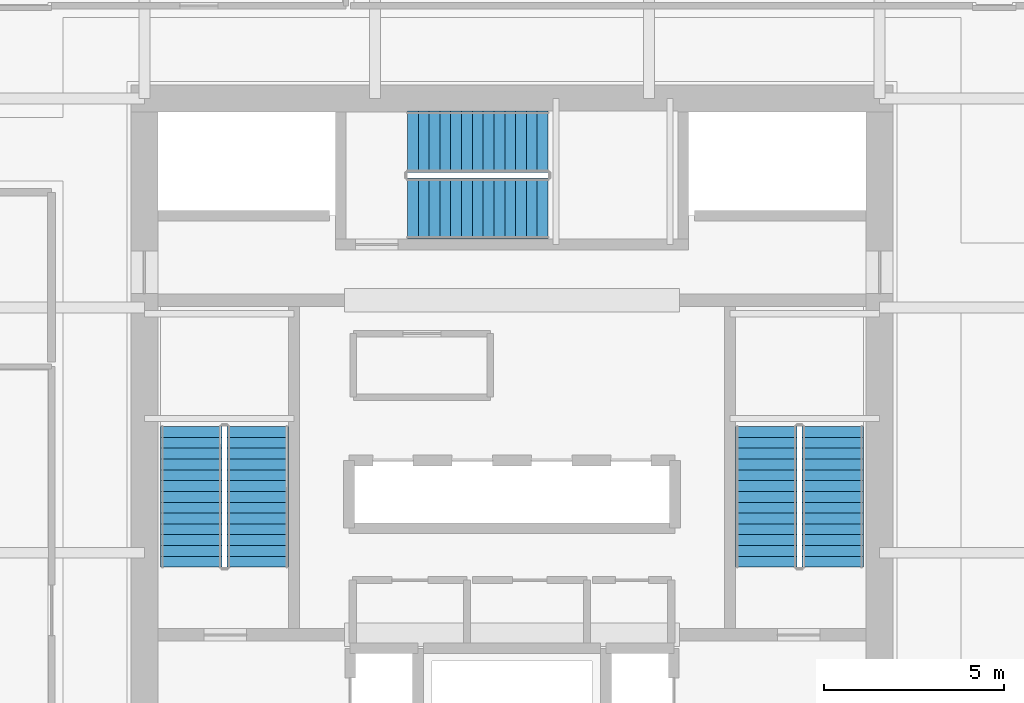
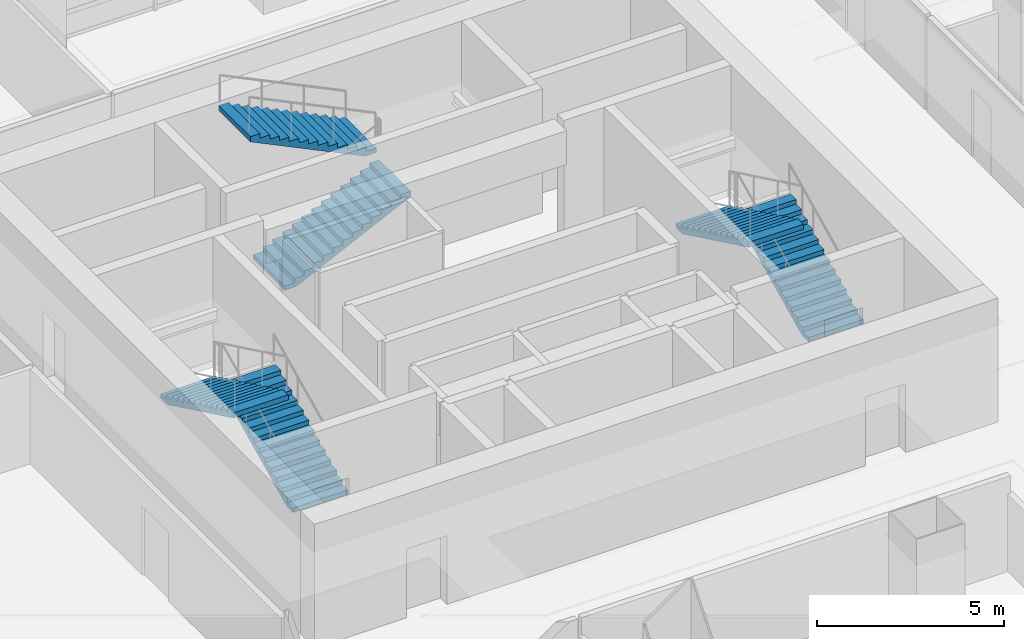
# One storey, part 29 of 34: 6 stair flights, 3 elements without a shape of their own.
"""IFC4 building model written with IfcOpenShell, lengths in metres."""

from ifc_helpers import new_model, si_unit, direction, frame, origin, place, context, subcontext, project, spatial, polyline, outline, extrude, material, type_object, element, aggregate, save


model = new_model("IFC4")

# Units and contexts
model_context = context("Model", 3, precision=1e-05, world=origin(), true_north=direction((0.0, 1.0)))
body_context = subcontext(model_context, "Body", "Model", "MODEL_VIEW")
ifc_project = project(units=[si_unit("LENGTHUNIT", "METRE"), si_unit("AREAUNIT", "SQUARE_METRE"), si_unit("VOLUMEUNIT", "CUBIC_METRE"), si_unit("PLANEANGLEUNIT", "RADIAN"), si_unit("MASSUNIT", "GRAM", prefix="KILO")], contexts=[model_context])

# Site, building, storey
site_placement = place(None, origin())
site = spatial("IfcSite", under=ifc_project, at=site_placement, CompositionType="ELEMENT")
building_placement = place(site_placement, origin())
building = spatial("IfcBuilding", under=site, at=building_placement, Name="Punatoya Terracotta Tower", CompositionType="ELEMENT")
storey_placement = place(building_placement, frame((0.0, 0.0, 84.89990234375)))
storey = spatial("IfcBuildingStorey", under=building, at=storey_placement, Name="L19", CompositionType="ELEMENT", Elevation=84.89990234375)

# Stair, stair flights
ifc_material = material(Name="Concrete C40/50", Category="concrete")
stair_type_1 = type_object("IfcStairType", Name="STR-CORE-1550", PredefinedType="HALF_TURN_STAIR", material=ifc_material)
stair_1_placement = place(storey_placement, origin())
stair_1 = element("IfcStair", 1, at=stair_1_placement, inside=storey, type_object=stair_type_1, Name="L19 Protected Core Exit Stair ST-1", PredefinedType="HALF_TURN_STAIR")
stair_flight_type_1 = type_object("IfcStairFlightType", Name="SFL-CORE-1550", PredefinedType="STRAIGHT", material=ifc_material)
stair_flight_1_placement = place(storey_placement, frame((-7.050048828125, -3.800048828125, 0.0), z_axis=(0.0, 0.0, 1.0), x_axis=(0.0, 1.0, 0.0)))
stair_flight_1 = element("IfcStairFlight", 2, at=stair_flight_1_placement, type_object=stair_flight_type_1, Name="ST-1 flight 1", NumberOfRisers=14, NumberOfTreads=13, PredefinedType="STRAIGHT", RiserHeight=0.144642857, TreadLength=0.3, context=body_context, shape_type="SweptSolid", body=[
    extrude(outline(polyline([(0.0, 0.0), (0.0, 0.14453125), (0.300048828125, 0.14453125), (0.300048828125, 0.289306640625), (0.60009765625, 0.289306640625), (0.60009765625, 0.433837890625), (0.89990234375, 0.433837890625), (0.89990234375, 0.57861328125), (1.199951171875, 0.57861328125), (1.199951171875, 0.72314453125), (1.5, 0.72314453125), (1.5, 0.867919921875), (1.800048828125, 0.867919921875), (1.800048828125, 1.012451171875), (2.10009765625, 1.012451171875), (2.10009765625, 1.1572265625), (2.39990234375, 1.1572265625), (2.39990234375, 1.3017578125), (2.699951171875, 1.3017578125), (2.699951171875, 1.446533203125), (3.0, 1.446533203125), (3.0, 1.591064453125), (3.300048828125, 1.591064453125), (3.300048828125, 1.735595703125), (3.60009765625, 1.735595703125), (3.60009765625, 1.88037109375), (3.89990234375, 1.88037109375), (3.89990234375, 2.02490234375), (3.89990234375, 1.7138671875), (0.34521484375, 0.0), (0.0, 0.0)])), frame((0.0, 0.85009765625, 0.0), z_axis=(0.0, -1.0, 0.0), x_axis=(1.0, 0.0, 0.0)), (0.0, 0.0, 1.0), 1.699951171875),
])
stair_flight_2_placement = place(storey_placement, frame((-8.89990234375, 0.10009765625, 2.025146484375), z_axis=(0.0, 0.0, 1.0), x_axis=(0.0, -1.0, 0.0)))
stair_flight_2 = element("IfcStairFlight", 3, at=stair_flight_2_placement, type_object=stair_flight_type_1, Name="ST-1 flight 2", NumberOfRisers=14, NumberOfTreads=13, PredefinedType="STRAIGHT", RiserHeight=0.144642857, TreadLength=0.3, context=body_context, shape_type="SweptSolid", body=[
    extrude(outline(polyline([(0.0, 0.0), (0.0, 0.14453125), (0.300048828125, 0.14453125), (0.300048828125, 0.289306640625), (0.60009765625, 0.289306640625), (0.60009765625, 0.433837890625), (0.89990234375, 0.433837890625), (0.89990234375, 0.57861328125), (1.199951171875, 0.57861328125), (1.199951171875, 0.72314453125), (1.5, 0.72314453125), (1.5, 0.867919921875), (1.800048828125, 0.867919921875), (1.800048828125, 1.012451171875), (2.10009765625, 1.012451171875), (2.10009765625, 1.1572265625), (2.39990234375, 1.1572265625), (2.39990234375, 1.3017578125), (2.699951171875, 1.3017578125), (2.699951171875, 1.446533203125), (3.0, 1.446533203125), (3.0, 1.591064453125), (3.300048828125, 1.591064453125), (3.300048828125, 1.735595703125), (3.60009765625, 1.735595703125), (3.60009765625, 1.88037109375), (3.89990234375, 1.88037109375), (3.89990234375, 2.02490234375), (3.89990234375, 1.7138671875), (0.34521484375, 0.0), (0.0, 0.0)])), frame((0.0, 0.85009765625, 0.0), z_axis=(0.0, -1.0, 0.0), x_axis=(1.0, 0.0, 0.0)), (0.0, 0.0, 1.0), 1.699951171875),
])
aggregate(stair_1, [stair_flight_1, stair_flight_2])

stair_type_2 = type_object("IfcStairType", Name="STR-LOB-1650", PredefinedType="HALF_TURN_STAIR", material=ifc_material)
stair_2_placement = place(storey_placement, origin())
stair_2 = element("IfcStair", 4, at=stair_2_placement, inside=storey, type_object=stair_type_2, Name="L19 Protected Core Exit Stair ST-2", PredefinedType="HALF_TURN_STAIR")
stair_flight_type_2 = type_object("IfcStairFlightType", Name="SFL-LOB-1650", PredefinedType="STRAIGHT", material=ifc_material)
stair_flight_3_placement = place(storey_placement, frame((8.89990234375, -3.800048828125, 0.0), z_axis=(0.0, 0.0, 1.0), x_axis=(0.0, 1.0, 0.0)))
stair_flight_3 = element("IfcStairFlight", 5, at=stair_flight_3_placement, type_object=stair_flight_type_2, Name="ST-2 flight 1", NumberOfRisers=14, NumberOfTreads=13, PredefinedType="STRAIGHT", RiserHeight=0.144642857, TreadLength=0.3, context=body_context, shape_type="SweptSolid", body=[
    extrude(outline(polyline([(0.0, 0.0), (0.0, 0.14453125), (0.300048828125, 0.14453125), (0.300048828125, 0.289306640625), (0.60009765625, 0.289306640625), (0.60009765625, 0.433837890625), (0.89990234375, 0.433837890625), (0.89990234375, 0.57861328125), (1.199951171875, 0.57861328125), (1.199951171875, 0.72314453125), (1.5, 0.72314453125), (1.5, 0.867919921875), (1.800048828125, 0.867919921875), (1.800048828125, 1.012451171875), (2.10009765625, 1.012451171875), (2.10009765625, 1.1572265625), (2.39990234375, 1.1572265625), (2.39990234375, 1.3017578125), (2.699951171875, 1.3017578125), (2.699951171875, 1.446533203125), (3.0, 1.446533203125), (3.0, 1.591064453125), (3.300048828125, 1.591064453125), (3.300048828125, 1.735595703125), (3.60009765625, 1.735595703125), (3.60009765625, 1.88037109375), (3.89990234375, 1.88037109375), (3.89990234375, 2.02490234375), (3.89990234375, 1.7138671875), (0.34521484375, 0.0), (0.0, 0.0)])), frame((0.0, 0.85009765625, 0.0), z_axis=(0.0, -1.0, 0.0), x_axis=(1.0, 0.0, 0.0)), (0.0, 0.0, 1.0), 1.699951171875),
])
stair_flight_4_placement = place(storey_placement, frame((7.050048828125, 0.10009765625, 2.025146484375), z_axis=(0.0, 0.0, 1.0), x_axis=(0.0, -1.0, 0.0)))
stair_flight_4 = element("IfcStairFlight", 6, at=stair_flight_4_placement, type_object=stair_flight_type_2, Name="ST-2 flight 2", NumberOfRisers=14, NumberOfTreads=13, PredefinedType="STRAIGHT", RiserHeight=0.144642857, TreadLength=0.3, context=body_context, shape_type="SweptSolid", body=[
    extrude(outline(polyline([(0.0, 0.0), (0.0, 0.14453125), (0.300048828125, 0.14453125), (0.300048828125, 0.289306640625), (0.60009765625, 0.289306640625), (0.60009765625, 0.433837890625), (0.89990234375, 0.433837890625), (0.89990234375, 0.57861328125), (1.199951171875, 0.57861328125), (1.199951171875, 0.72314453125), (1.5, 0.72314453125), (1.5, 0.867919921875), (1.800048828125, 0.867919921875), (1.800048828125, 1.012451171875), (2.10009765625, 1.012451171875), (2.10009765625, 1.1572265625), (2.39990234375, 1.1572265625), (2.39990234375, 1.3017578125), (2.699951171875, 1.3017578125), (2.699951171875, 1.446533203125), (3.0, 1.446533203125), (3.0, 1.591064453125), (3.300048828125, 1.591064453125), (3.300048828125, 1.735595703125), (3.60009765625, 1.735595703125), (3.60009765625, 1.88037109375), (3.89990234375, 1.88037109375), (3.89990234375, 2.02490234375), (3.89990234375, 1.7138671875), (0.34521484375, 0.0), (0.0, 0.0)])), frame((0.0, 0.85009765625, 0.0), z_axis=(0.0, -1.0, 0.0), x_axis=(1.0, 0.0, 0.0)), (0.0, 0.0, 1.0), 1.699951171875),
])
aggregate(stair_2, [stair_flight_3, stair_flight_4])

stair_type_3 = type_object("IfcStairType", Name="STR-TER-1450", PredefinedType="HALF_TURN_STAIR", material=ifc_material)
stair_3_placement = place(storey_placement, origin())
stair_3 = element("IfcStair", 7, at=stair_3_placement, inside=storey, type_object=stair_type_3, Name="L19 Protected Core Exit Stair ST-3", PredefinedType="HALF_TURN_STAIR")
stair_flight_type_3 = type_object("IfcStairFlightType", Name="SFL-TER-1450", PredefinedType="STRAIGHT", material=ifc_material)
stair_flight_5_placement = place(storey_placement, frame((-2.89990234375, 6.14990234375, 0.0), z_axis=(0.0, 0.0, 1.0), x_axis=(1.0, 0.0, 0.0)))
stair_flight_5 = element("IfcStairFlight", 8, at=stair_flight_5_placement, type_object=stair_flight_type_3, Name="ST-3 flight 1", NumberOfRisers=14, NumberOfTreads=13, PredefinedType="STRAIGHT", RiserHeight=0.144642857, TreadLength=0.3, context=body_context, shape_type="SweptSolid", body=[
    extrude(outline(polyline([(0.0, 0.0), (0.0, 0.14453125), (0.300048828125, 0.14453125), (0.300048828125, 0.289306640625), (0.60009765625, 0.289306640625), (0.60009765625, 0.433837890625), (0.89990234375, 0.433837890625), (0.89990234375, 0.57861328125), (1.199951171875, 0.57861328125), (1.199951171875, 0.72314453125), (1.5, 0.72314453125), (1.5, 0.867919921875), (1.800048828125, 0.867919921875), (1.800048828125, 1.012451171875), (2.10009765625, 1.012451171875), (2.10009765625, 1.1572265625), (2.39990234375, 1.1572265625), (2.39990234375, 1.3017578125), (2.699951171875, 1.3017578125), (2.699951171875, 1.446533203125), (3.0, 1.446533203125), (3.0, 1.591064453125), (3.300048828125, 1.591064453125), (3.300048828125, 1.735595703125), (3.60009765625, 1.735595703125), (3.60009765625, 1.88037109375), (3.89990234375, 1.88037109375), (3.89990234375, 2.02490234375), (3.89990234375, 1.7138671875), (0.34521484375, 0.0), (0.0, 0.0)])), frame((0.0, 0.85009765625, 0.0), z_axis=(0.0, -1.0, 0.0), x_axis=(1.0, 0.0, 0.0)), (0.0, 0.0, 1.0), 1.699951171875),
])
stair_flight_6_placement = place(storey_placement, frame((1.0, 8.0, 2.025146484375), z_axis=(0.0, 0.0, 1.0), x_axis=(-1.0, 0.0, 0.0)))
stair_flight_6 = element("IfcStairFlight", 9, at=stair_flight_6_placement, type_object=stair_flight_type_3, Name="ST-3 flight 2", NumberOfRisers=14, NumberOfTreads=13, PredefinedType="STRAIGHT", RiserHeight=0.144642857, TreadLength=0.3, context=body_context, shape_type="SweptSolid", body=[
    extrude(outline(polyline([(0.0, 0.0), (0.0, 0.14453125), (0.300048828125, 0.14453125), (0.300048828125, 0.289306640625), (0.60009765625, 0.289306640625), (0.60009765625, 0.433837890625), (0.89990234375, 0.433837890625), (0.89990234375, 0.57861328125), (1.199951171875, 0.57861328125), (1.199951171875, 0.72314453125), (1.5, 0.72314453125), (1.5, 0.867919921875), (1.800048828125, 0.867919921875), (1.800048828125, 1.012451171875), (2.10009765625, 1.012451171875), (2.10009765625, 1.1572265625), (2.39990234375, 1.1572265625), (2.39990234375, 1.3017578125), (2.699951171875, 1.3017578125), (2.699951171875, 1.446533203125), (3.0, 1.446533203125), (3.0, 1.591064453125), (3.300048828125, 1.591064453125), (3.300048828125, 1.735595703125), (3.60009765625, 1.735595703125), (3.60009765625, 1.88037109375), (3.89990234375, 1.88037109375), (3.89990234375, 2.02490234375), (3.89990234375, 1.7138671875), (0.34521484375, 0.0), (0.0, 0.0)])), frame((0.0, 0.85009765625, 0.0), z_axis=(0.0, -1.0, 0.0), x_axis=(1.0, 0.0, 0.0)), (0.0, 0.0, 1.0), 1.699951171875),
])
aggregate(stair_3, [stair_flight_5, stair_flight_6])

save(model, "model.ifc")
